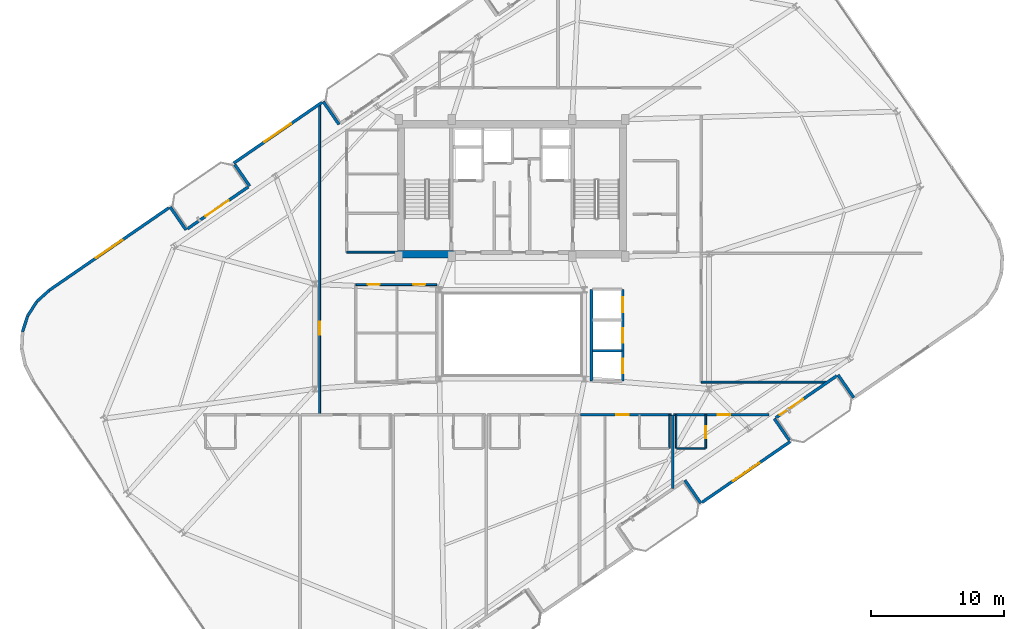
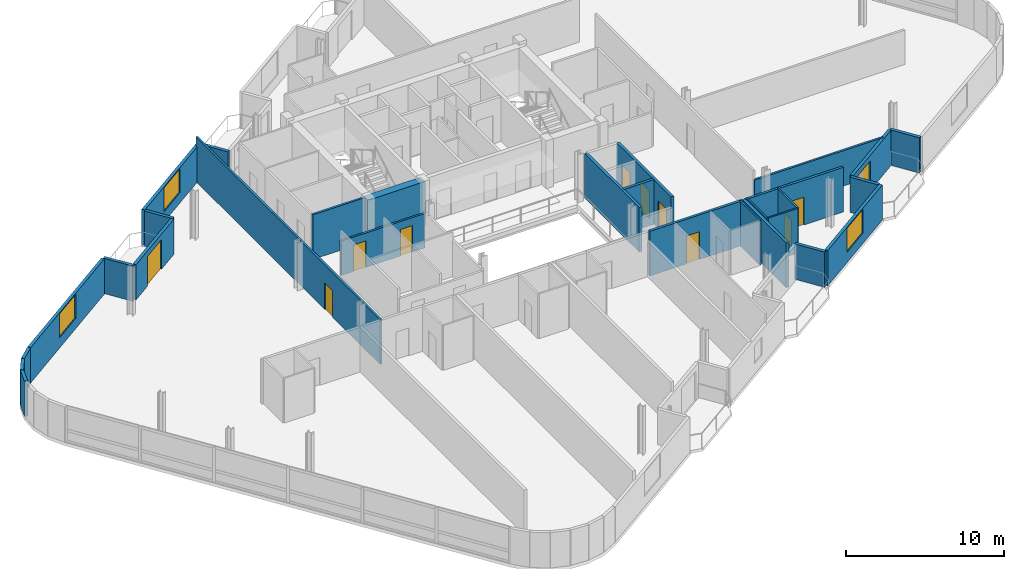
# One storey, part 16 of 22: 29 walls, 11 doors, 3 windows, 14 openings.
"""IFC4 building model written with IfcOpenShell, lengths in metres."""

from ifc_helpers import new_model, si_unit, direction, frame, frame_2d, origin, place, context, subcontext, project, spatial, rectangle, extrude, material, layer, layer_set, type_object, element, fill, save


model = new_model("IFC4")

# Units and contexts
model_context = context("Model", 3, precision=1e-05, world=origin(), true_north=direction((0.0, 1.0)))
body_context = subcontext(model_context, "Body", "Model", "MODEL_VIEW")
ifc_project = project(units=[si_unit("LENGTHUNIT", "METRE"), si_unit("AREAUNIT", "SQUARE_METRE"), si_unit("VOLUMEUNIT", "CUBIC_METRE"), si_unit("PLANEANGLEUNIT", "RADIAN"), si_unit("MASSUNIT", "GRAM", prefix="KILO")], contexts=[model_context])

# Site, building, storey
site_placement = place(None, origin())
site = spatial("IfcSite", under=ifc_project, at=site_placement, CompositionType="ELEMENT")
building_placement = place(site_placement, origin())
building = spatial("IfcBuilding", under=site, at=building_placement, Name="Varnelok Gate Tower", CompositionType="ELEMENT")
storey_placement = place(building_placement, frame((0.0, 0.0, 284.10009765625)))
storey = spatial("IfcBuildingStorey", under=building, at=storey_placement, Name="L73", CompositionType="ELEMENT", Elevation=284.10009765625)

# Wall, opening, door
ifc_material_1 = material(Name="Concrete C45/55", Category="concrete")
ifc_layer_1 = layer(ifc_material_1, 0.219970703125)
ifc_layer_set_1 = layer_set([ifc_layer_1], Name="Concrete C45/55")
wall_type_1 = type_object("IfcWallType", Name="EW-BALC-220", PredefinedType="SOLIDWALL", material=ifc_layer_set_1)
wall_1_placement = place(storey_placement, frame((63.60498046875, 19.780029296875, 0.0), z_axis=(0.0, 0.0, 1.0), x_axis=(-0.823541290762, -0.567256328665, 0.0)))
wall_1 = element("IfcWall", 1, at=wall_1_placement, inside=storey, type_object=wall_type_1, Name="L73 South Terrace Envelope Wall 3", PredefinedType="SOLIDWALL", context=body_context, shape_type="SweptSolid", body=[
    extrude(rectangle(XDim=5.567138671875, YDim=0.219970703125, at=frame_2d((2.78369140625, 0.0))), origin(), (0.0, 0.0, 1.0), 2.72998046875),
])
opening_1_placement = place(wall_1_placement, frame((3.067138671875, 0.0, 0.0)))
opening_1 = element("IfcOpeningElement", 2, at=opening_1_placement, cuts=wall_1, Name="Opening BD-2", PredefinedType="OPENING", context=body_context, shape_type="SweptSolid", body=[
    extrude(rectangle(XDim=2.10009765625, YDim=2.300048828125, at=frame_2d((1.050048828125, 1.14990234375))), frame((0.0, 0.119873046875, 0.0), z_axis=(0.0, -1.0, 0.0), x_axis=(1.0, 0.0, 0.0)), (0.0, 0.0, 1.0), 0.239990234375),
])
ifc_material_2 = material(Name="Anodized Aluminum Alloy 6063-T6", Category="aluminium")
door_type_1 = type_object("IfcDoorType", Name="DR-EXT-SLID2100", OperationType="SLIDING_TO_LEFT", PredefinedType="DOOR", material=ifc_material_2)
door_1_placement = place(opening_1_placement, origin())
door_1 = element("IfcDoor", 3, at=door_1_placement, inside=storey, type_object=door_type_1, Name="L73 South Balcony Glazed Door 3", OperationType="SLIDING_TO_LEFT", OverallHeight=2.300048828125, OverallWidth=2.10009765625, PredefinedType="DOOR", context=body_context, shape_type="SweptSolid", body=[
    extrude(rectangle(XDim=2.10009765625, YDim=2.300048828125, at=frame_2d((1.050048828125, 1.14990234375))), frame((0.0, 0.02490234375, 0.0), z_axis=(0.0, -1.0, 0.0), x_axis=(1.0, 0.0, 0.0)), (0.0, 0.0, 1.0), 0.050048828125),
])
fill(opening_1, door_1)

wall_2_placement = place(storey_placement, frame((14.794921875, 30.81982421875, 0.0), z_axis=(0.0, 0.0, 1.0), x_axis=(0.823541290762, 0.567256328665, 0.0)))
wall_2 = element("IfcWall", 4, at=wall_2_placement, inside=storey, type_object=wall_type_1, Name="L73 North Terrace Envelope Wall 4", PredefinedType="SOLIDWALL", context=body_context, shape_type="SweptSolid", body=[
    extrude(rectangle(XDim=5.567138671875, YDim=0.219970703125, at=frame_2d((2.78369140625, 0.0))), origin(), (0.0, 0.0, 1.0), 2.72998046875),
])
opening_2_placement = place(wall_2_placement, frame((1.68017578125, 0.0, 0.0)))
opening_2 = element("IfcOpeningElement", 5, at=opening_2_placement, cuts=wall_2, Name="Opening BD-2", PredefinedType="OPENING", context=body_context, shape_type="SweptSolid", body=[
    extrude(rectangle(XDim=2.10009765625, YDim=2.300048828125, at=frame_2d((1.050048828125, 1.14990234375))), frame((0.0, 0.119873046875, 0.0), z_axis=(0.0, -1.0, 0.0), x_axis=(1.0, 0.0, 0.0)), (0.0, 0.0, 1.0), 0.239990234375),
])
door_2_placement = place(opening_2_placement, origin())
door_2 = element("IfcDoor", 6, at=door_2_placement, inside=storey, type_object=door_type_1, Name="L73 North Balcony Glazed Door 4", OperationType="SLIDING_TO_LEFT", OverallHeight=2.300048828125, OverallWidth=2.10009765625, PredefinedType="DOOR", context=body_context, shape_type="SweptSolid", body=[
    extrude(rectangle(XDim=2.10009765625, YDim=2.300048828125, at=frame_2d((1.050048828125, 1.14990234375))), frame((0.0, 0.02490234375, 0.0), z_axis=(0.0, -1.0, 0.0), x_axis=(1.0, 0.0, 0.0)), (0.0, 0.0, 1.0), 0.050048828125),
])
fill(opening_2, door_2)

# Wall
wall_3_placement = place(storey_placement, frame((52.19580078125, 11.933349609375, 0.0), z_axis=(0.0, 0.0, 1.0), x_axis=(0.56729822855, -0.823512428494, 0.0)))
element("IfcWall", 7, at=wall_3_placement, inside=storey, type_object=wall_type_1, Name="L73 Perimeter Facade Closure Wall 12", PredefinedType="SOLIDWALL", context=body_context, shape_type="SweptSolid", body=[
    extrude(rectangle(XDim=2.10009765625, YDim=0.219970703125, at=frame_2d((1.050048828125, 0.0))), origin(), (0.0, 0.0, 1.0), 2.72998046875),
])

# Wall, opening, window
wall_4_placement = place(storey_placement, frame((53.489990234375, 10.27490234375, 0.0), z_axis=(0.0, 0.0, 1.0), x_axis=(0.823530942962, 0.56727135128, 0.0)))
wall_4 = element("IfcWall", 8, at=wall_4_placement, inside=storey, type_object=wall_type_1, Name="L73 Perimeter Facade Closure Wall 13", PredefinedType="SOLIDWALL", context=body_context, shape_type="SweptSolid", body=[
    extrude(rectangle(XDim=8.03515625, YDim=0.219970703125, at=frame_2d((4.017578125, 0.0))), origin(), (0.0, 0.0, 1.0), 2.72998046875),
])
opening_3_placement = place(wall_4_placement, frame((2.8173828125, 0.0, 0.800048828125)))
opening_3 = element("IfcOpeningElement", 9, at=opening_3_placement, cuts=wall_4, Name="Opening WN6", PredefinedType="OPENING", context=body_context, shape_type="SweptSolid", body=[
    extrude(rectangle(XDim=2.39990234375, YDim=1.85009765625, at=frame_2d((1.199951171875, 0.925048828125))), frame((0.0, 0.119873046875, 0.0), z_axis=(0.0, -1.0, 0.0), x_axis=(1.0, 0.0, 0.0)), (0.0, 0.0, 1.0), 0.239990234375),
])
ifc_material_3 = material(Name="Low-E Laminated Double Glazing IGU", Category="glass")
window_type = type_object("IfcWindowType", Name="WN-PEN-2400", PartitioningType="SINGLE_PANEL", PredefinedType="WINDOW", material=ifc_material_3)
window_1_placement = place(opening_3_placement, origin())
window_1 = element("IfcWindow", 10, at=window_1_placement, inside=storey, type_object=window_type, Name="L73 Perimeter Vision Window 13", OverallHeight=1.85009765625, OverallWidth=2.39990234375, PartitioningType="SINGLE_PANEL", PredefinedType="WINDOW", context=body_context, shape_type="SweptSolid", body=[
    extrude(rectangle(XDim=2.39990234375, YDim=1.85009765625, at=frame_2d((1.199951171875, 0.925048828125))), frame((0.0, 0.030029296875, 0.0), z_axis=(0.0, -1.0, 0.0), x_axis=(1.0, 0.0, 0.0)), (0.0, 0.0, 1.0), 0.06005859375),
])
fill(opening_3, window_1)

# Walls
wall_5_placement = place(storey_placement, frame((60.0361328125, 14.935791015625, 0.0), z_axis=(0.0, 0.0, 1.0), x_axis=(-0.567273565974, 0.823529417415, 0.0)))
element("IfcWall", 11, at=wall_5_placement, inside=storey, type_object=wall_type_1, Name="L73 Perimeter Facade Closure Wall 14", PredefinedType="SOLIDWALL", context=body_context, shape_type="SweptSolid", body=[
    extrude(rectangle(XDim=1.97509765625, YDim=0.219970703125, at=frame_2d((0.987548828125, 0.0))), origin(), (0.0, 0.0, 1.0), 2.72998046875),
])
for number, where, z_axis, x_axis, name in (
    (12, (63.6982421875, 19.8564453125, 0.0), (0.0, 0.0, 1.0), (0.567219383419, -0.823566737474, 0.0), "L73 Perimeter Facade Closure Wall 15"),
    (13, (26.2041015625, 38.66650390625, 0.0), (0.0, 0.0, 1.0), (-0.567219383419, 0.823566737474, 0.0), "L73 Perimeter Facade Closure Wall 34"),
):
    element("IfcWall", number, at=place(storey_placement, frame(where, z_axis=z_axis, x_axis=x_axis)), inside=storey, type_object=wall_type_1, Name=name, PredefinedType="SOLIDWALL", context=body_context, shape_type="SweptSolid", body=[
        extrude(rectangle(XDim=2.10009765625, YDim=0.219970703125, at=frame_2d((1.050048828125, 0.0))), origin(), (0.0, 0.0, 1.0), 2.72998046875),
    ])

# Wall, opening, window
wall_6_placement = place(storey_placement, frame((24.909912109375, 40.3251953125, 0.0), z_axis=(0.0, 0.0, 1.0), x_axis=(-0.823521165086, -0.56728554596, 0.0)))
wall_6 = element("IfcWall", 14, at=wall_6_placement, inside=storey, type_object=wall_type_1, Name="L73 Perimeter Facade Closure Wall 35", PredefinedType="SOLIDWALL", context=body_context, shape_type="SweptSolid", body=[
    extrude(rectangle(XDim=8.034912109375, YDim=0.219970703125, at=frame_2d((4.017578125, 0.0))), origin(), (0.0, 0.0, 1.0), 2.72998046875),
])
opening_4_placement = place(wall_6_placement, frame((2.8173828125, 0.0, 0.800048828125)))
opening_4 = element("IfcOpeningElement", 15, at=opening_4_placement, cuts=wall_6, Name="Opening WN6", PredefinedType="OPENING", context=body_context, shape_type="SweptSolid", body=[
    extrude(rectangle(XDim=2.39990234375, YDim=1.85009765625, at=frame_2d((1.199951171875, 0.925048828125))), frame((0.0, 0.119873046875, 0.0), z_axis=(0.0, -1.0, 0.0), x_axis=(1.0, 0.0, 0.0)), (0.0, 0.0, 1.0), 0.239990234375),
])
window_2_placement = place(opening_4_placement, origin())
window_2 = element("IfcWindow", 16, at=window_2_placement, inside=storey, type_object=window_type, Name="L73 Perimeter Vision Window 35", OverallHeight=1.85009765625, OverallWidth=2.39990234375, PartitioningType="SINGLE_PANEL", PredefinedType="WINDOW", context=body_context, shape_type="SweptSolid", body=[
    extrude(rectangle(XDim=2.39990234375, YDim=1.85009765625, at=frame_2d((1.199951171875, 0.925048828125))), frame((0.0, 0.030029296875, 0.0), z_axis=(0.0, -1.0, 0.0), x_axis=(1.0, 0.0, 0.0)), (0.0, 0.0, 1.0), 0.06005859375),
])
fill(opening_4, window_2)

# Walls
wall_7_placement = place(storey_placement, frame((18.36376953125, 35.664306640625, 0.0), z_axis=(0.0, 0.0, 1.0), x_axis=(0.567215821234, -0.823569190865, 0.0)))
element("IfcWall", 17, at=wall_7_placement, inside=storey, type_object=wall_type_1, Name="L73 Perimeter Facade Closure Wall 36", PredefinedType="SOLIDWALL", context=body_context, shape_type="SweptSolid", body=[
    extrude(rectangle(XDim=1.97509765625, YDim=0.219970703125, at=frame_2d((0.987548828125, 0.0))), origin(), (0.0, 0.0, 1.0), 2.72998046875),
])
wall_8_placement = place(storey_placement, frame((14.701904296875, 30.74365234375, 0.0), z_axis=(0.0, 0.0, 1.0), x_axis=(-0.567352541689, 0.823475010816, 0.0)))
element("IfcWall", 18, at=wall_8_placement, inside=storey, type_object=wall_type_1, Name="L73 Perimeter Facade Closure Wall 37", PredefinedType="SOLIDWALL", context=body_context, shape_type="SweptSolid", body=[
    extrude(rectangle(XDim=2.099853515625, YDim=0.219970703125, at=frame_2d((1.0498046875, 0.0))), origin(), (0.0, 0.0, 1.0), 2.72998046875),
])

# Wall, opening, window
wall_9_placement = place(storey_placement, frame((13.40771484375, 32.402099609375, 0.0), z_axis=(0.0, 0.0, 1.0), x_axis=(-0.823527634633, -0.567276154087, 0.0)))
wall_9 = element("IfcWall", 19, at=wall_9_placement, inside=storey, type_object=wall_type_1, Name="L73 Perimeter Facade Closure Wall 38", PredefinedType="SOLIDWALL", context=body_context, shape_type="SweptSolid", body=[
    extrude(rectangle(XDim=10.88037109375, YDim=0.219970703125, at=frame_2d((5.440185546875, 0.0))), origin(), (0.0, 0.0, 1.0), 2.72998046875),
])
opening_5_placement = place(wall_9_placement, frame((4.239990234375, 0.0, 0.800048828125)))
opening_5 = element("IfcOpeningElement", 20, at=opening_5_placement, cuts=wall_9, Name="Opening WN6", PredefinedType="OPENING", context=body_context, shape_type="SweptSolid", body=[
    extrude(rectangle(XDim=2.39990234375, YDim=1.85009765625, at=frame_2d((1.199951171875, 0.925048828125))), frame((0.0, 0.119873046875, 0.0), z_axis=(0.0, -1.0, 0.0), x_axis=(1.0, 0.0, 0.0)), (0.0, 0.0, 1.0), 0.239990234375),
])
window_3_placement = place(opening_5_placement, origin())
window_3 = element("IfcWindow", 21, at=window_3_placement, inside=storey, type_object=window_type, Name="L73 Perimeter Vision Window 38", OverallHeight=1.85009765625, OverallWidth=2.39990234375, PartitioningType="SINGLE_PANEL", PredefinedType="WINDOW", context=body_context, shape_type="SweptSolid", body=[
    extrude(rectangle(XDim=2.39990234375, YDim=1.85009765625, at=frame_2d((1.199951171875, 0.925048828125))), frame((0.0, 0.030029296875, 0.0), z_axis=(0.0, -1.0, 0.0), x_axis=(1.0, 0.0, 0.0)), (0.0, 0.0, 1.0), 0.06005859375),
])
fill(opening_5, window_3)

# Walls
wall_10_placement = place(storey_placement, frame((4.428955078125, 26.21337890625, 0.0), z_axis=(0.0, 0.0, 1.0), x_axis=(-0.742414330744, -0.669941013453, 0.0)))
element("IfcWall", 22, at=wall_10_placement, inside=storey, type_object=wall_type_1, Name="L73 Perimeter Facade Closure Wall 39", PredefinedType="SOLIDWALL", context=body_context, shape_type="SweptSolid", body=[
    extrude(rectangle(XDim=1.256591796875, YDim=0.219970703125, at=frame_2d((0.62841796875, 0.0))), origin(), (0.0, 0.0, 1.0), 2.72998046875),
])
for number, where, z_axis, x_axis, name in (
    (23, (3.482421875, 25.3505859375, 0.0), (0.0, 0.0, 1.0), (-0.543778157277, -0.839229000731, 0.0), "L73 Perimeter Facade Closure Wall 40"),
    (24, (2.7958984375, 24.27880859375, 0.0), (0.0, 0.0, 1.0), (-0.30817950344, -0.951328226039, 0.0), "L73 Perimeter Facade Closure Wall 41"),
):
    element("IfcWall", number, at=place(storey_placement, frame(where, z_axis=z_axis, x_axis=x_axis)), inside=storey, type_object=wall_type_1, Name=name, PredefinedType="SOLIDWALL", context=body_context, shape_type="SweptSolid", body=[
        extrude(rectangle(XDim=1.24853515625, YDim=0.219970703125, at=frame_2d((0.624267578125, 0.0))), origin(), (0.0, 0.0, 1.0), 2.72998046875),
    ])

# Wall, opening, door
ifc_material_4 = material(Name="Gypsum Plasterboard Acoustic Partition", Category="gypsum")
ifc_layer_2 = layer(ifc_material_4, 0.179931640625)
ifc_layer_set_2 = layer_set([ifc_layer_2], Name="Gypsum Plasterboard Acoustic Partition")
wall_type_2 = type_object("IfcWallType", Name="PW-CORR-180", PredefinedType="PARTITIONING", material=ifc_layer_set_2)
wall_11_placement = place(storey_placement, frame((44.35009765625, 16.85009765625, 0.0), z_axis=(0.0, 0.0, 1.0), x_axis=(1.0, 0.0, 0.0)))
wall_11 = element("IfcWall", 25, at=wall_11_placement, inside=storey, type_object=wall_type_2, Name="Interior Partition", PredefinedType="PARTITIONING", context=body_context, shape_type="SweptSolid", body=[
    extrude(rectangle(XDim=6.849853515625, YDim=0.179931640625, at=frame_2d((3.4248046875, 0.0))), origin(), (0.0, 0.0, 1.0), 3.449951171875),
])
opening_6_placement = place(wall_11_placement, frame((2.68994140625, 0.0, 0.0)))
opening_6 = element("IfcOpeningElement", 26, at=opening_6_placement, cuts=wall_11, Name="Opening D-HT", PredefinedType="OPENING", context=body_context, shape_type="SweptSolid", body=[
    extrude(rectangle(XDim=0.949951171875, YDim=2.14990234375, at=frame_2d((0.47509765625, 1.074951171875))), frame((0.0, 0.099853515625, 0.0), z_axis=(0.0, -1.0, 0.0), x_axis=(1.0, 0.0, 0.0)), (0.0, 0.0, 1.0), 0.199951171875),
])
ifc_material_5 = material(Name="Engineered Hardwood Timber", Category="wood")
door_type_2 = type_object("IfcDoorType", Name="DR-HTL-950", OperationType="NOTDEFINED", PredefinedType="DOOR", material=ifc_material_5)
door_3_placement = place(opening_6_placement, origin())
door_3 = element("IfcDoor", 27, at=door_3_placement, inside=storey, type_object=door_type_2, Name="L73 Guest Room 05 Entrance Door", OperationType="SINGLE_SWING_RIGHT", OverallHeight=2.14990234375, OverallWidth=0.949951171875, PredefinedType="DOOR", context=body_context, shape_type="SweptSolid", body=[
    extrude(rectangle(XDim=0.949951171875, YDim=2.14990234375, at=frame_2d((0.47509765625, 1.074951171875))), frame((0.0, 0.02490234375, 0.0), z_axis=(0.0, -1.0, 0.0), x_axis=(1.0, 0.0, 0.0)), (0.0, 0.0, 1.0), 0.050048828125),
])
fill(opening_6, door_3)

wall_12_placement = place(storey_placement, frame((51.35009765625, 16.85009765625, 0.0), z_axis=(0.0, 0.0, 1.0), x_axis=(1.0, 0.0, 0.0)))
wall_12 = element("IfcWall", 28, at=wall_12_placement, inside=storey, type_object=wall_type_2, Name="Interior Partition", PredefinedType="PARTITIONING", context=body_context, shape_type="SweptSolid", body=[
    extrude(rectangle(XDim=7.14990234375, YDim=0.179931640625, at=frame_2d((3.574951171875, 0.0))), origin(), (0.0, 0.0, 1.0), 3.449951171875),
])
opening_7_placement = place(wall_12_placement, frame((3.319580078125, 0.0, 0.0)))
opening_7 = element("IfcOpeningElement", 29, at=opening_7_placement, cuts=wall_12, Name="Opening D-HT", PredefinedType="OPENING", context=body_context, shape_type="SweptSolid", body=[
    extrude(rectangle(XDim=0.949951171875, YDim=2.14990234375, at=frame_2d((0.47509765625, 1.074951171875))), frame((0.0, 0.099853515625, 0.0), z_axis=(0.0, -1.0, 0.0), x_axis=(1.0, 0.0, 0.0)), (0.0, 0.0, 1.0), 0.199951171875),
])
door_4_placement = place(opening_7_placement, origin())
door_4 = element("IfcDoor", 30, at=door_4_placement, inside=storey, type_object=door_type_2, Name="L73 Guest Room 06 Entrance Door", OperationType="SINGLE_SWING_LEFT", OverallHeight=2.14990234375, OverallWidth=0.949951171875, PredefinedType="DOOR", context=body_context, shape_type="SweptSolid", body=[
    extrude(rectangle(XDim=0.949951171875, YDim=2.14990234375, at=frame_2d((0.47509765625, 1.074951171875))), frame((0.0, 0.02490234375, 0.0), z_axis=(0.0, -1.0, 0.0), x_axis=(1.0, 0.0, 0.0)), (0.0, 0.0, 1.0), 0.050048828125),
])
fill(opening_7, door_4)

# Walls
ifc_layer_3 = layer(ifc_material_4, 0.114990234375)
ifc_layer_set_3 = layer_set([ifc_layer_3], Name="Gypsum Plasterboard Acoustic Partition")
wall_type_3 = type_object("IfcWallType", Name="PW-ENS-125", PredefinedType="PARTITIONING", material=ifc_layer_set_3)
wall_13_placement = place(storey_placement, frame((51.02001953125, 14.330078125, 0.0), z_axis=(0.0, 0.0, 1.0), x_axis=(0.0, 1.0, 0.0)))
element("IfcWall", 31, at=wall_13_placement, inside=storey, type_object=wall_type_3, Name="Interior Partition", PredefinedType="PARTITIONING", context=body_context, shape_type="SweptSolid", body=[
    extrude(rectangle(XDim=2.52001953125, YDim=0.114990234375, at=frame_2d((1.260009765625, 0.0))), origin(), (0.0, 0.0, 1.0), 3.449951171875),
])
wall_14_placement = place(storey_placement, frame((51.570068359375, 14.330078125, 0.0), z_axis=(0.0, 0.0, 1.0), x_axis=(1.0, 0.0, 0.0)))
element("IfcWall", 32, at=wall_14_placement, inside=storey, type_object=wall_type_3, Name="Interior Partition", PredefinedType="PARTITIONING", context=body_context, shape_type="SweptSolid", body=[
    extrude(rectangle(XDim=2.14990234375, YDim=0.114990234375, at=frame_2d((1.074951171875, 0.0))), origin(), (0.0, 0.0, 1.0), 3.449951171875),
])

# Wall, opening, door
wall_15_placement = place(storey_placement, frame((53.760009765625, 14.330078125, 0.0), z_axis=(0.0, 0.0, 1.0), x_axis=(0.0, 1.0, 0.0)))
wall_15 = element("IfcWall", 33, at=wall_15_placement, inside=storey, type_object=wall_type_3, Name="Interior Partition", PredefinedType="PARTITIONING", context=body_context, shape_type="SweptSolid", body=[
    extrude(rectangle(XDim=2.52001953125, YDim=0.114990234375, at=frame_2d((1.260009765625, 0.0))), origin(), (0.0, 0.0, 1.0), 3.449951171875),
])
opening_8_placement = place(wall_15_placement, frame((0.760009765625, 0.0, 0.0)))
opening_8 = element("IfcOpeningElement", 34, at=opening_8_placement, cuts=wall_15, Name="Opening D-WC", PredefinedType="OPENING", context=body_context, shape_type="SweptSolid", body=[
    extrude(rectangle(XDim=0.89990234375, YDim=2.050048828125, at=frame_2d((0.449951171875, 1.02490234375))), frame((0.0, 0.0673828125, 0.0), z_axis=(0.0, -1.0, 0.0), x_axis=(1.0, 0.0, 0.0)), (0.0, 0.0, 1.0), 0.135009765625),
])
door_type_3 = type_object("IfcDoorType", Name="DR-BATH-900", OperationType="NOTDEFINED", PredefinedType="DOOR", material=ifc_material_5)
door_5_placement = place(opening_8_placement, origin())
door_5 = element("IfcDoor", 35, at=door_5_placement, inside=storey, type_object=door_type_3, Name="L73 Guest En-Suite 06 Door", OperationType="SINGLE_SWING_LEFT", OverallHeight=2.050048828125, OverallWidth=0.89990234375, PredefinedType="DOOR", context=body_context, shape_type="SweptSolid", body=[
    extrude(rectangle(XDim=0.89990234375, YDim=2.050048828125, at=frame_2d((0.449951171875, 1.02490234375))), frame((0.0, 0.02490234375, 0.0), z_axis=(0.0, -1.0, 0.0), x_axis=(1.0, 0.0, 0.0)), (0.0, 0.0, 1.0), 0.050048828125),
])
fill(opening_8, door_5)

# Wall
wall_16_placement = place(storey_placement, frame((51.530029296875, 14.330078125, 0.0), z_axis=(0.0, 0.0, 1.0), x_axis=(0.0, 1.0, 0.0)))
element("IfcWall", 36, at=wall_16_placement, inside=storey, type_object=wall_type_3, Name="Interior Partition", PredefinedType="PARTITIONING", context=body_context, shape_type="SweptSolid", body=[
    extrude(rectangle(XDim=2.52001953125, YDim=0.114990234375, at=frame_2d((1.260009765625, 0.0))), origin(), (0.0, 0.0, 1.0), 3.449951171875),
])

# Wall, openings, doors
ifc_layer_4 = layer(ifc_material_4, 0.14990234375)
ifc_layer_set_4 = layer_set([ifc_layer_4], Name="Gypsum Plasterboard Acoustic Partition")
wall_type_4 = type_object("IfcWallType", Name="PW-PART-150", PredefinedType="PARTITIONING", material=ifc_layer_set_4)
wall_17_placement = place(storey_placement, frame((27.4599609375, 26.639892578125, 0.0), z_axis=(0.0, 0.0, 1.0), x_axis=(1.0, 0.0, 0.0)))
wall_17 = element("IfcWall", 37, at=wall_17_placement, inside=storey, type_object=wall_type_4, Name="Interior Partition", PredefinedType="PARTITIONING", context=body_context, shape_type="SweptSolid", body=[
    extrude(rectangle(XDim=6.10009765625, YDim=0.14990234375, at=frame_2d((3.050048828125, 0.0))), origin(), (0.0, 0.0, 1.0), 2.661865234375),
])
opening_9_placement = place(wall_17_placement, frame((0.89990234375, 0.0, 0.0)))
opening_9 = element("IfcOpeningElement", 38, at=opening_9_placement, cuts=wall_17, Name="Opening D-WC", PredefinedType="OPENING", context=body_context, shape_type="SweptSolid", body=[
    extrude(rectangle(XDim=0.89990234375, YDim=2.050048828125, at=frame_2d((0.449951171875, 1.02490234375))), frame((0.0, 0.0849609375, 0.0), z_axis=(0.0, -1.0, 0.0), x_axis=(1.0, 0.0, 0.0)), (0.0, 0.0, 1.0), 0.169921875),
])
opening_10_placement = place(wall_17_placement, frame((4.302978515625, 0.0, 0.0)))
opening_10 = element("IfcOpeningElement", 39, at=opening_10_placement, cuts=wall_17, Name="Opening D-WC", PredefinedType="OPENING", context=body_context, shape_type="SweptSolid", body=[
    extrude(rectangle(XDim=0.89990234375, YDim=2.050048828125, at=frame_2d((0.449951171875, 1.02490234375))), frame((0.0, 0.0849609375, 0.0), z_axis=(0.0, -1.0, 0.0), x_axis=(1.0, 0.0, 0.0)), (0.0, 0.0, 1.0), 0.169921875),
])
door_6_placement = place(opening_9_placement, origin())
door_6 = element("IfcDoor", 40, at=door_6_placement, inside=storey, type_object=door_type_3, Name="L73 Male WC Door", OperationType="SINGLE_SWING_LEFT", OverallHeight=2.050048828125, OverallWidth=0.89990234375, PredefinedType="DOOR", context=body_context, shape_type="SweptSolid", body=[
    extrude(rectangle(XDim=0.89990234375, YDim=2.050048828125, at=frame_2d((0.449951171875, 1.02490234375))), frame((0.0, 0.02490234375, 0.0), z_axis=(0.0, -1.0, 0.0), x_axis=(1.0, 0.0, 0.0)), (0.0, 0.0, 1.0), 0.050048828125),
])
fill(opening_9, door_6)
door_7_placement = place(opening_10_placement, origin())
door_7 = element("IfcDoor", 41, at=door_7_placement, inside=storey, type_object=door_type_3, Name="L73 Female WC Door", OperationType="SINGLE_SWING_RIGHT", OverallHeight=2.050048828125, OverallWidth=0.89990234375, PredefinedType="DOOR", context=body_context, shape_type="SweptSolid", body=[
    extrude(rectangle(XDim=0.89990234375, YDim=2.050048828125, at=frame_2d((0.449951171875, 1.02490234375))), frame((0.0, 0.02490234375, 0.0), z_axis=(0.0, -1.0, 0.0), x_axis=(1.0, 0.0, 0.0)), (0.0, 0.0, 1.0), 0.050048828125),
])
fill(opening_10, door_7)

# Wall, opening, door
wall_18_placement = place(storey_placement, frame((24.75, 16.85009765625, 0.0), z_axis=(0.0, 0.0, 1.0), x_axis=(0.0, 1.0, 0.0)))
wall_18 = element("IfcWall", 42, at=wall_18_placement, inside=storey, type_object=wall_type_4, Name="Interior Partition", PredefinedType="PARTITIONING", context=body_context, shape_type="SweptSolid", body=[
    extrude(rectangle(XDim=23.324951171875, YDim=0.14990234375, at=frame_2d((11.66259765625, 0.0))), origin(), (0.0, 0.0, 1.0), 3.449951171875),
])
opening_11_placement = place(wall_18_placement, frame((6.0, 0.0, 0.0)))
opening_11 = element("IfcOpeningElement", 43, at=opening_11_placement, cuts=wall_18, Name="Opening D-I1", PredefinedType="OPENING", context=body_context, shape_type="SweptSolid", body=[
    extrude(rectangle(XDim=1.0, YDim=2.050048828125, at=frame_2d((0.5, 1.02490234375))), frame((0.0, 0.0849609375, 0.0), z_axis=(0.0, -1.0, 0.0), x_axis=(1.0, 0.0, 0.0)), (0.0, 0.0, 1.0), 0.169921875),
])
door_type_4 = type_object("IfcDoorType", Name="DR-INT-1000", OperationType="NOTDEFINED", PredefinedType="DOOR", material=ifc_material_5)
door_8_placement = place(opening_11_placement, origin())
door_8 = element("IfcDoor", 44, at=door_8_placement, inside=storey, type_object=door_type_4, Name="L73 Wellness Lounge Door", OperationType="SINGLE_SWING_LEFT", OverallHeight=2.050048828125, OverallWidth=1.0, PredefinedType="DOOR", context=body_context, shape_type="SweptSolid", body=[
    extrude(rectangle(XDim=1.0, YDim=2.050048828125, at=frame_2d((0.5, 1.02490234375))), frame((0.0, 0.02490234375, 0.0), z_axis=(0.0, -1.0, 0.0), x_axis=(1.0, 0.0, 0.0)), (0.0, 0.0, 1.0), 0.050048828125),
])
fill(opening_11, door_8)

# Walls
wall_19_placement = place(storey_placement, frame((53.419921875, 19.300048828125, 0.0), z_axis=(0.0, 0.0, 1.0), x_axis=(1.0, 0.0, 0.0)))
element("IfcWall", 45, at=wall_19_placement, inside=storey, type_object=wall_type_4, Name="Interior Partition", PredefinedType="PARTITIONING", context=body_context, shape_type="SweptSolid", body=[
    extrude(rectangle(XDim=9.43505859375, YDim=0.14990234375, at=frame_2d((4.717529296875, 0.0))), origin(), (0.0, 0.0, 1.0), 2.739013671875),
])
wall_20_placement = place(storey_placement, frame((26.780029296875, 29.080078125, 0.0), z_axis=(0.0, 0.0, 1.0), x_axis=(1.0, 0.0, 0.0)))
element("IfcWall", 46, at=wall_20_placement, inside=storey, type_object=wall_type_4, Name="Interior Partition", PredefinedType="PARTITIONING", context=body_context, shape_type="SweptSolid", body=[
    extrude(rectangle(XDim=3.800048828125, YDim=0.14990234375, at=frame_2d((1.89990234375, 0.0))), origin(), (0.0, 0.0, 1.0), 3.449951171875),
])
ifc_layer_5 = layer(ifc_material_4, 0.205078125)
ifc_layer_set_5 = layer_set([ifc_layer_5], Name="Gypsum Plasterboard Acoustic Partition")
wall_type_5 = type_object("IfcWallType", Name="PW-PARTY-200", PredefinedType="PARTITIONING", material=ifc_layer_set_5)
wall_21_placement = place(storey_placement, frame((51.27490234375, 11.323486328125, 0.0), z_axis=(0.0, 0.0, 1.0), x_axis=(0.0, 1.0, 0.0)))
element("IfcWall", 47, at=wall_21_placement, inside=storey, type_object=wall_type_5, Name="L73 South Suite Party Wall 5", PredefinedType="PARTITIONING", context=body_context, shape_type="SweptSolid", body=[
    extrude(rectangle(XDim=5.526611328125, YDim=0.205078125, at=frame_2d((2.76318359375, 0.0))), origin(), (0.0, 0.0, 1.0), 3.449951171875),
])
ifc_material_6 = material(Name="Concrete C35/45", Category="concrete")
ifc_layer_6 = layer(ifc_material_6, 0.199951171875)
ifc_layer_set_6 = layer_set([ifc_layer_6], Name="Concrete C35/45")
wall_type_6 = type_object("IfcWallType", Name="PW-SHAFT-200", PredefinedType="PARTITIONING", material=ifc_layer_set_6)
wall_22_placement = place(storey_placement, frame((45.239990234375, 21.675048828125, 0.0), z_axis=(0.0, 0.0, 1.0), x_axis=(1.0, 0.0, 0.0)))
element("IfcWall", 48, at=wall_22_placement, inside=storey, type_object=wall_type_6, Name="L73 PH1 Divider", PredefinedType="PARTITIONING", context=body_context, shape_type="SweptSolid", body=[
    extrude(rectangle(XDim=2.219970703125, YDim=0.199951171875, at=frame_2d((1.10986328125, 0.0))), origin(), (0.0, 0.0, 1.0), 3.449951171875),
])
wall_23_placement = place(storey_placement, frame((45.179931640625, 19.3798828125, 0.0), z_axis=(0.0, 0.0, 1.0), x_axis=(0.0, 1.0, 0.0)))
element("IfcWall", 49, at=wall_23_placement, inside=storey, type_object=wall_type_6, Name="L73 PH Bank Atrium Wall", PredefinedType="PARTITIONING", context=body_context, shape_type="SweptSolid", body=[
    extrude(rectangle(XDim=6.900146484375, YDim=0.199951171875, at=frame_2d((3.4501953125, 0.0))), origin(), (0.0, 0.0, 1.0), 3.449951171875),
])

# Wall, openings, doors
wall_24_placement = place(storey_placement, frame((47.52001953125, 19.3798828125, 0.0), z_axis=(0.0, 0.0, 1.0), x_axis=(0.0, 1.0, 0.0)))
wall_24 = element("IfcWall", 50, at=wall_24_placement, inside=storey, type_object=wall_type_6, Name="L73 PH Bank Front Wall", PredefinedType="PARTITIONING", context=body_context, shape_type="SweptSolid", body=[
    extrude(rectangle(XDim=6.900146484375, YDim=0.199951171875, at=frame_2d((3.4501953125, 0.0))), origin(), (0.0, 0.0, 1.0), 3.449951171875),
])
opening_12_placement = place(wall_24_placement, frame((0.590087890625, 0.0, 0.0)))
opening_12 = element("IfcOpeningElement", 51, at=opening_12_placement, cuts=wall_24, Name="Opening LD-PH1", PredefinedType="OPENING", context=body_context, shape_type="SweptSolid", body=[
    extrude(rectangle(XDim=1.10009765625, YDim=2.14990234375, at=frame_2d((0.550048828125, 1.074951171875))), frame((0.0, 0.10986328125, 0.0), z_axis=(0.0, -1.0, 0.0), x_axis=(1.0, 0.0, 0.0)), (0.0, 0.0, 1.0), 0.219970703125),
])
opening_13_placement = place(wall_24_placement, frame((2.889892578125, 0.0, 0.0)))
opening_13 = element("IfcOpeningElement", 52, at=opening_13_placement, cuts=wall_24, Name="Opening LD-PH2", PredefinedType="OPENING", context=body_context, shape_type="SweptSolid", body=[
    extrude(rectangle(XDim=1.10009765625, YDim=2.14990234375, at=frame_2d((0.550048828125, 1.074951171875))), frame((0.0, 0.10986328125, 0.0), z_axis=(0.0, -1.0, 0.0), x_axis=(1.0, 0.0, 0.0)), (0.0, 0.0, 1.0), 0.219970703125),
])
opening_14_placement = place(wall_24_placement, frame((5.18994140625, 0.0, 0.0)))
opening_14 = element("IfcOpeningElement", 53, at=opening_14_placement, cuts=wall_24, Name="Opening LD-PH3", PredefinedType="OPENING", context=body_context, shape_type="SweptSolid", body=[
    extrude(rectangle(XDim=1.10009765625, YDim=2.14990234375, at=frame_2d((0.550048828125, 1.074951171875))), frame((0.0, 0.10986328125, 0.0), z_axis=(0.0, -1.0, 0.0), x_axis=(1.0, 0.0, 0.0)), (0.0, 0.0, 1.0), 0.219970703125),
])
ifc_material_7 = material(Name="Galvanized Steel Grade S350GD", Category="steel")
door_type_5 = type_object("IfcDoorType", Name="DR-LIFT-PAX1100", OperationType="SLIDING_TO_LEFT", PredefinedType="DOOR", material=ifc_material_7)
door_9_placement = place(opening_12_placement, origin())
door_9 = element("IfcDoor", 54, at=door_9_placement, inside=storey, type_object=door_type_5, Name="L73 Passenger Lift Landing Door LD-PH1", OperationType="SLIDING_TO_LEFT", OverallHeight=2.14990234375, OverallWidth=1.10009765625, PredefinedType="DOOR", context=body_context, shape_type="SweptSolid", body=[
    extrude(rectangle(XDim=1.10009765625, YDim=2.14990234375, at=frame_2d((0.550048828125, 1.074951171875))), frame((0.0, 0.02490234375, 0.0), z_axis=(0.0, -1.0, 0.0), x_axis=(1.0, 0.0, 0.0)), (0.0, 0.0, 1.0), 0.050048828125),
])
fill(opening_12, door_9)
door_10_placement = place(opening_13_placement, origin())
door_10 = element("IfcDoor", 55, at=door_10_placement, inside=storey, type_object=door_type_5, Name="L73 Passenger Lift Landing Door LD-PH2", OperationType="SLIDING_TO_LEFT", OverallHeight=2.14990234375, OverallWidth=1.10009765625, PredefinedType="DOOR", context=body_context, shape_type="SweptSolid", body=[
    extrude(rectangle(XDim=1.10009765625, YDim=2.14990234375, at=frame_2d((0.550048828125, 1.074951171875))), frame((0.0, 0.02490234375, 0.0), z_axis=(0.0, -1.0, 0.0), x_axis=(1.0, 0.0, 0.0)), (0.0, 0.0, 1.0), 0.050048828125),
])
fill(opening_13, door_10)
door_11_placement = place(opening_14_placement, origin())
door_11 = element("IfcDoor", 56, at=door_11_placement, inside=storey, type_object=door_type_5, Name="L73 Passenger Lift Landing Door LD-PH3", OperationType="SLIDING_TO_LEFT", OverallHeight=2.14990234375, OverallWidth=1.10009765625, PredefinedType="DOOR", context=body_context, shape_type="SweptSolid", body=[
    extrude(rectangle(XDim=1.10009765625, YDim=2.14990234375, at=frame_2d((0.550048828125, 1.074951171875))), frame((0.0, 0.02490234375, 0.0), z_axis=(0.0, -1.0, 0.0), x_axis=(1.0, 0.0, 0.0)), (0.0, 0.0, 1.0), 0.050048828125),
])
fill(opening_14, door_11)

# Wall
ifc_material_8 = material(Name="Concrete C60/75", Category="concrete")
ifc_layer_7 = layer(ifc_material_8, 0.550048828125)
ifc_layer_set_7 = layer_set([ifc_layer_7], Name="Concrete C60/75")
wall_type_7 = type_object("IfcWallType", Name="SW-CORE-550", PredefinedType="SHEAR", material=ifc_layer_set_7)
wall_25_placement = place(storey_placement, frame((30.580078125, 28.925048828125, 0.0), z_axis=(0.0, 0.0, 1.0), x_axis=(1.0, 0.0, 0.0)))
element("IfcWall", 57, at=wall_25_placement, inside=storey, type_object=wall_type_7, Name="L73 Rear Core South-West Shear Wall", PredefinedType="SHEAR", context=body_context, shape_type="SweptSolid", body=[
    extrude(rectangle(XDim=4.219970703125, YDim=0.550048828125, at=frame_2d((2.10986328125, 0.0))), origin(), (0.0, 0.0, 1.0), 3.449951171875),
])

save(model, "model.ifc")
